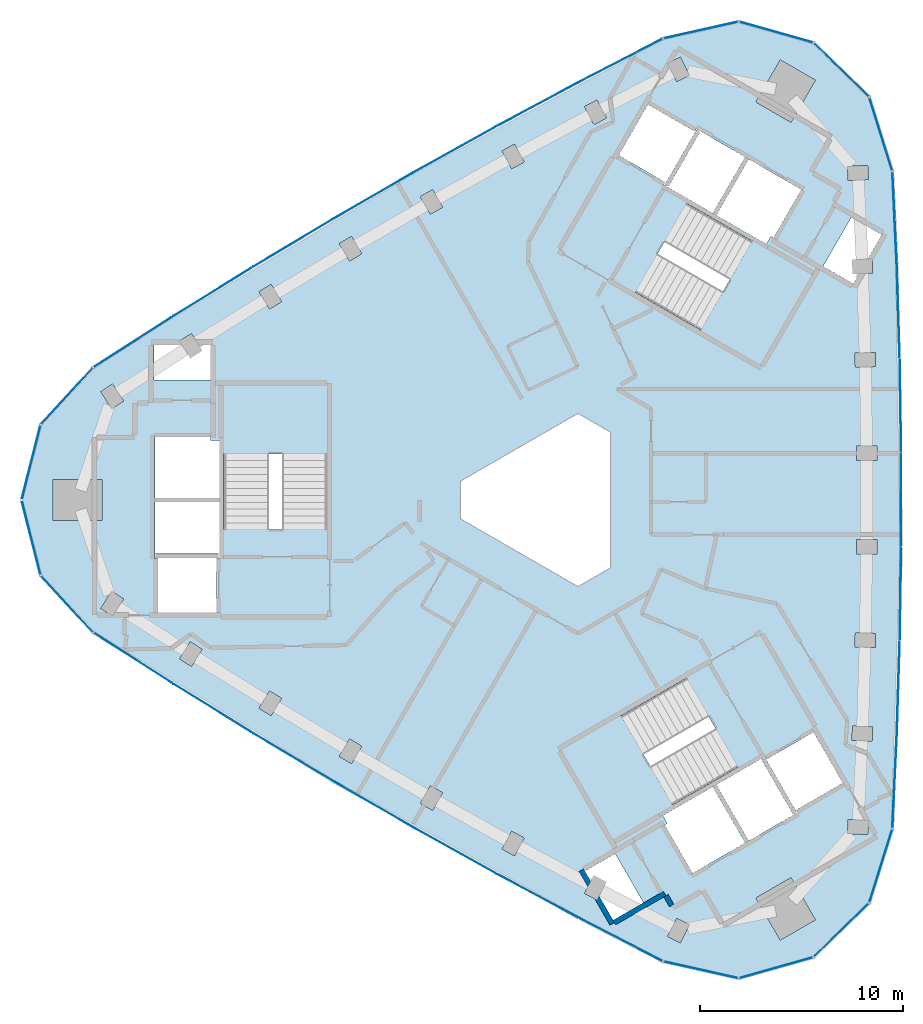
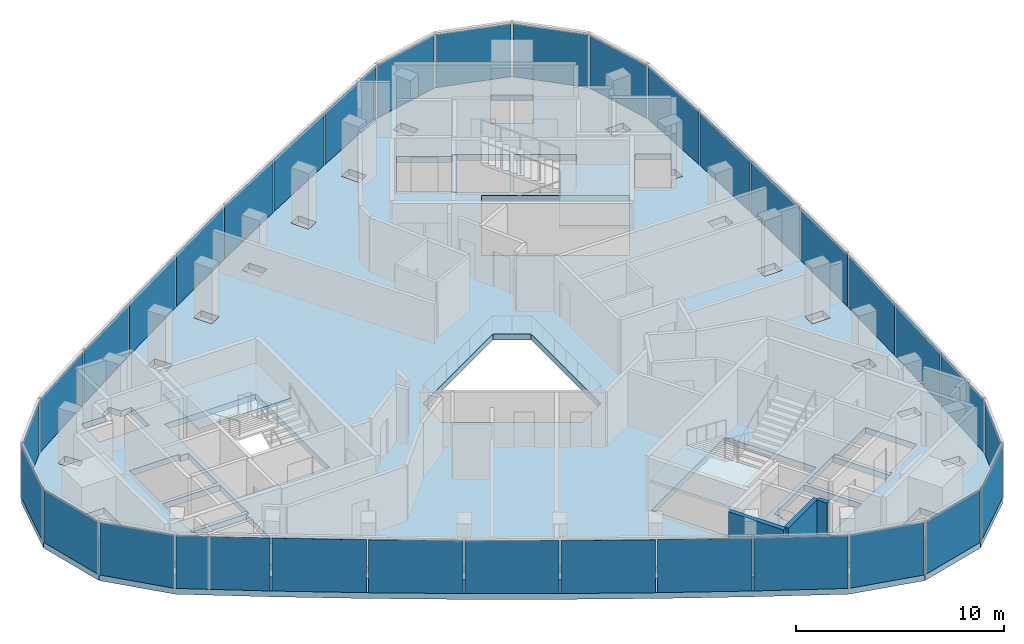
# One storey, part 5 of 10: 33 plates, 4 slabs, 3 walls, 6 elements without a shape of their own.
"""IFC4 building model written with IfcOpenShell, lengths in metres."""

from ifc_helpers import new_model, si_unit, direction, frame, frame_2d, origin, origin_2d, place, context, subcontext, project, spatial, polyline, rectangle, outline, extrude, material, layer, layer_set, type_object, element, aggregate, save


model = new_model("IFC4")

# Units and contexts
model_context = context("Model", 3, precision=1e-05, world=origin(), true_north=direction((0.0, 1.0)))
body_context = subcontext(model_context, "Body", "Model", "MODEL_VIEW")
ifc_project = project(units=[si_unit("LENGTHUNIT", "METRE"), si_unit("AREAUNIT", "SQUARE_METRE"), si_unit("VOLUMEUNIT", "CUBIC_METRE"), si_unit("PLANEANGLEUNIT", "RADIAN"), si_unit("MASSUNIT", "GRAM", prefix="KILO")], contexts=[model_context])

# Site, building, storey
site_placement = place(None, origin())
site = spatial("IfcSite", under=ifc_project, at=site_placement, CompositionType="ELEMENT")
building_placement = place(site_placement, origin())
building = spatial("IfcBuilding", under=site, at=building_placement, Name="Tamra Quay Hotel Tower", CompositionType="ELEMENT")
storey_placement = place(building_placement, frame((0.0, 0.0, 265.800048828125)))
storey = spatial("IfcBuildingStorey", under=building, at=storey_placement, Name="L67", CompositionType="ELEMENT", Elevation=265.800048828125)

# Stair, slab
ifc_material_1 = material(Name="Exit stair 2200 24 risers 150.0 going 342")
stair_type = type_object("IfcStairType", Name="Exit stair 2200 24 risers 150.0 going 342", PredefinedType="HALF_TURN_STAIR", material=ifc_material_1)
stair_1_placement = place(storey_placement, origin())
stair_1 = element("IfcStair", 1, at=stair_1_placement, inside=storey, type_object=stair_type, Name="L67 Exit stair ST3", PredefinedType="HALF_TURN_STAIR")
ifc_material_2 = material(Name="Concrete M70", Category="concrete")
ifc_layer_1 = layer(ifc_material_2, 0.175048828125)
ifc_layer_set_1 = layer_set([ifc_layer_1], Name="Concrete M70 stair landing 180")
slab_type_1 = type_object("IfcSlabType", Name="Concrete M70 stair landing 180", PredefinedType="LANDING", material=ifc_layer_set_1)
slab_1_placement = place(storey_placement, frame((0.0, 0.0, 1.625)))
slab_1 = element("IfcSlab", 2, at=slab_1_placement, type_object=slab_type_1, Name="ST3 landing 1", PredefinedType="LANDING", context=body_context, shape_type="SweptSolid", body=[
    extrude(outline(polyline([(-10.932373046875, 2.261962890625), (-10.932373046875, 5.679931640625), (-16.09130859375, 5.679931640625), (-16.09130859375, 2.261962890625), (-10.932373046875, 2.261962890625)])), origin(), (0.0, 0.0, 1.0), 0.175048828125),
])
aggregate(stair_1, [slab_1])

stair_2_placement = place(storey_placement, origin())
stair_2 = element("IfcStair", 3, at=stair_2_placement, inside=storey, type_object=stair_type, Name="L67 Exit stair ST1", PredefinedType="HALF_TURN_STAIR")
slab_2_placement = place(storey_placement, frame((0.0, 0.0, 1.625)))
slab_2 = element("IfcSlab", 4, at=slab_2_placement, type_object=slab_type_1, Name="ST1 landing 1", PredefinedType="LANDING", context=body_context, shape_type="SweptSolid", body=[
    extrude(outline(polyline([(7.425048828125, 8.336669921875), (10.385009765625, 6.627685546875), (12.964599609375, 11.095458984375), (10.00439453125, 12.804443359375), (7.425048828125, 8.336669921875)])), origin(), (0.0, 0.0, 1.0), 0.175048828125),
])
aggregate(stair_2, [slab_2])

stair_3_placement = place(storey_placement, origin())
stair_3 = element("IfcStair", 5, at=stair_3_placement, inside=storey, type_object=stair_type, Name="L67 Exit stair ST2", PredefinedType="HALF_TURN_STAIR")
slab_3_placement = place(storey_placement, frame((0.0, 0.0, 1.625)))
slab_3 = element("IfcSlab", 6, at=slab_3_placement, type_object=slab_type_1, Name="ST2 landing 1", PredefinedType="LANDING", context=body_context, shape_type="SweptSolid", body=[
    extrude(outline(polyline([(3.50732421875, -10.5986328125), (0.547119140625, -12.3076171875), (3.126708984375, -16.775390625), (6.086669921875, -15.06640625), (3.50732421875, -10.5986328125)])), origin(), (0.0, 0.0, 1.0), 0.175048828125),
])
aggregate(stair_3, [slab_3])

# Slab
ifc_material_3 = material(Name="Concrete M60", Category="concrete")
ifc_layer_2 = layer(ifc_material_3, 0.35009765625)
ifc_layer_set_2 = layer_set([ifc_layer_2], Name="FLOOR SLAB PT 350")
slab_type_2 = type_object("IfcSlabType", Name="FLOOR SLAB PT 350", PredefinedType="FLOOR", material=ifc_layer_set_2)
slab_4_placement = place(storey_placement, frame((0.0, 0.0, -0.35009765625)))
element("IfcSlab", 7, at=slab_4_placement, inside=storey, type_object=slab_type_2, Name="SLAB-L67", PredefinedType="FLOOR", context=body_context, shape_type="SweptSolid", body=[
    extrude(outline(polyline([(17.116943359375, 11.580810546875), (17.26171875, 6.9501953125), (17.333984375, 2.31689453125), (17.333984375, -2.31689453125), (17.26171875, -6.9501953125), (17.116943359375, -11.580810546875), (16.89990234375, -16.210205078125), (15.757080078125, -19.865966796875), (13.01171875, -22.536865234375), (9.325927734375, -23.5791015625), (5.58837890625, -22.740966796875), (1.470947265625, -20.614013671875), (-2.61181640625, -18.42431640625), (-6.660400390625, -16.170166015625), (-10.673583984375, -13.853271484375), (-14.64990234375, -11.473876953125), (-18.587890625, -9.033203125), (-22.488525390625, -6.530517578125), (-25.0830078125, -3.712890625), (-26.0234375, 0.0), (-25.0830078125, 3.712890625), (-22.488525390625, 6.530517578125), (-18.587890625, 9.033203125), (-14.64990234375, 11.473876953125), (-10.673583984375, 13.853271484375), (-6.660400390625, 16.170166015625), (-2.61181640625, 18.42431640625), (1.470947265625, 20.614013671875), (5.58837890625, 22.740966796875), (9.325927734375, 23.5791015625), (13.01171875, 22.536865234375), (15.757080078125, 19.865966796875), (16.89990234375, 16.210205078125), (17.116943359375, 11.580810546875)]), holes=[polyline([(-10.3671875, -12.641357421875), (-9.763671875, -12.99609375), (-9.2568359375, -12.13427734375), (-9.8603515625, -11.779296875), (-10.3671875, -12.641357421875)]), polyline([(-14.324462890625, -10.26708984375), (-13.7265625, -10.63134765625), (-13.206298828125, -9.77734375), (-13.803955078125, -9.4130859375), (-14.324462890625, -10.26708984375)]), polyline([(-18.244140625, -7.831298828125), (-17.652099609375, -8.20458984375), (-17.118896484375, -7.358642578125), (-17.7109375, -6.9853515625), (-18.244140625, -7.831298828125)]), polyline([(-21.57861328125, -4.497314453125), (-22.125244140625, -5.33447265625), (-21.539306640625, -5.71728515625), (-20.992431640625, -4.880126953125), (-21.57861328125, -4.497314453125)]), polyline([(-16.3173828125, -2.85498046875), (-19.4072265625, -2.85498046875), (-19.4072265625, -2.89306640625), (-19.307373046875, -2.89306640625), (-19.307373046875, -5.544921875), (-16.417236328125, -5.544921875), (-16.417236328125, -2.89306640625), (-16.3173828125, -2.89306640625), (-16.3173828125, -2.85498046875)]), polyline([(-19.417236328125, -2.64501953125), (-16.307373046875, -2.64501953125), (-16.307373046875, -2.89306640625), (-16.26708984375, -2.89306640625), (-16.26708984375, -0.10498046875), (-19.45751953125, -0.10498046875), (-19.45751953125, -2.89306640625), (-19.417236328125, -2.89306640625), (-19.417236328125, -2.64501953125)]), polyline([(-24.473388671875, 1.0), (-24.473388671875, -1.0), (-22.073486328125, -1.0), (-22.073486328125, 1.0), (-24.473388671875, 1.0)]), polyline([(-16.707275390625, 2.945068359375), (-16.707275390625, 3.09521484375), (-19.45751953125, 3.09521484375), (-19.45751953125, 0.10498046875), (-16.26708984375, 0.10498046875), (-16.26708984375, 2.945068359375), (-16.707275390625, 2.945068359375)]), polyline([(-16.036376953125, -1.455078125), (-10.9873046875, -1.455078125), (-10.9873046875, 5.625), (-16.036376953125, 5.625), (-16.036376953125, -1.455078125)]), polyline([(-20.992431640625, 4.880126953125), (-21.539306640625, 5.71728515625), (-22.125244140625, 5.33447265625), (-21.57861328125, 4.497314453125), (-20.992431640625, 4.880126953125)]), polyline([(-17.29931640625, 7.64501953125), (-17.652099609375, 8.20458984375), (-18.244140625, 7.831298828125), (-18.126708984375, 7.64501953125), (-19.50732421875, 7.64501953125), (-19.50732421875, 5.9150390625), (-16.71728515625, 5.9150390625), (-16.71728515625, 7.64501953125), (-17.29931640625, 7.64501953125)]), polyline([(-13.7265625, 10.63134765625), (-14.324462890625, 10.26708984375), (-13.803955078125, 9.4130859375), (-13.206298828125, 9.77734375), (-13.7265625, 10.63134765625)]), polyline([(-9.2568359375, 12.13427734375), (-9.763671875, 12.99609375), (-10.3671875, 12.641357421875), (-9.8603515625, 11.779296875), (-9.2568359375, 12.13427734375)]), polyline([(-5.271240234375, 14.428955078125), (-5.764404296875, 15.298828125), (-6.373291015625, 14.95361328125), (-5.880126953125, 14.083740234375), (-5.271240234375, 14.428955078125)]), polyline([(5.818359375, -21.51220703125), (6.44287109375, -21.828369140625), (6.89453125, -20.936279296875), (6.27001953125, -20.6201171875), (5.818359375, -21.51220703125)]), polyline([(3.236083984375, -17.43505859375), (1.73779296875, -18.300048828125), (2.02880859375, -18.80419921875), (1.720703125, -19.389404296875), (2.33984375, -19.715576171875), (2.442626953125, -19.520751953125), (3.1328125, -20.71630859375), (4.631103515625, -19.851318359375), (3.236083984375, -17.43505859375)]), polyline([(-2.34375, -17.203369140625), (-1.7294921875, -17.538818359375), (-1.25, -16.6611328125), (-1.864501953125, -16.32568359375), (-2.34375, -17.203369140625)]), polyline([(5.5830078125, -15.560302734375), (5.80322265625, -15.94140625), (5.673095703125, -16.0166015625), (7.04833984375, -18.398193359375), (9.6376953125, -16.903076171875), (8.042724609375, -14.14013671875), (5.5830078125, -15.560302734375)]), polyline([(12.214111328125, -15.369384765625), (11.999267578125, -15.493408203125), (10.4443359375, -12.800048828125), (10.6591796875, -12.676025390625), (10.63916015625, -12.64111328125), (8.224609375, -14.03515625), (9.819580078125, -16.798095703125), (12.234130859375, -15.404052734375), (12.214111328125, -15.369384765625)]), polyline([(-6.373291015625, -14.95361328125), (-5.764404296875, -15.298828125), (-5.271240234375, -14.428955078125), (-5.880126953125, -14.083740234375), (-6.373291015625, -14.95361328125)]), polyline([(6.75390625, -8.78759765625), (0.622314453125, -12.32763671875), (3.146728515625, -16.7001953125), (9.2783203125, -13.160400390625), (6.75390625, -8.78759765625)]), polyline([(-4.39990234375, 0.923828125), (-4.39990234375, -0.923828125), (1.39990234375, -4.2724609375), (3.0, -3.3486328125), (3.0, 3.3486328125), (1.39990234375, 4.2724609375), (-4.39990234375, 0.923828125)]), polyline([(6.758056640625, 14.615478515625), (4.2333984375, 10.242919921875), (10.364990234375, 6.702880859375), (12.889404296875, 11.075439453125), (6.758056640625, 14.615478515625)]), polyline([(7.203125, 18.262451171875), (7.41796875, 18.138427734375), (5.863037109375, 15.445068359375), (5.648193359375, 15.569091796875), (5.628173828125, 15.5341796875), (8.04248046875, 14.140380859375), (9.6376953125, 16.903076171875), (7.22314453125, 18.297119140625), (7.203125, 18.262451171875)]), polyline([(-1.7294921875, 17.538818359375), (-2.34375, 17.203369140625), (-1.864501953125, 16.32568359375), (-1.25, 16.6611328125), (-1.7294921875, 17.538818359375)]), polyline([(5.68603515625, 15.55859375), (7.231201171875, 18.234619140625), (7.1982421875, 18.253662109375), (7.148193359375, 18.1669921875), (4.8515625, 19.4931640625), (3.406494140625, 16.990234375), (5.703125, 15.664306640625), (5.6533203125, 15.57763671875), (5.68603515625, 15.55859375)]), polyline([(2.805908203125, 18.830810546875), (2.33984375, 19.715576171875), (1.720703125, 19.389404296875), (2.186767578125, 18.504638671875), (2.805908203125, 18.830810546875)]), polyline([(6.44287109375, 21.828369140625), (5.818359375, 21.51220703125), (6.27001953125, 20.6201171875), (6.89453125, 20.936279296875), (6.44287109375, 21.828369140625)]), polyline([(10.170654296875, -19.6162109375), (11.37060546875, -21.694580078125), (13.102783203125, -20.694580078125), (11.902587890625, -18.6162109375), (10.170654296875, -19.6162109375)]), polyline([(14.68408203125, -16.43896484375), (15.6826171875, -16.493896484375), (15.720947265625, -15.794921875), (14.722412109375, -15.739990234375), (14.68408203125, -16.43896484375)]), polyline([(12.176025390625, -15.379638671875), (12.208984375, -15.360595703125), (12.1591796875, -15.274169921875), (14.455810546875, -13.947998046875), (13.0107421875, -11.4453125), (10.714111328125, -12.771240234375), (10.6640625, -12.6845703125), (10.631103515625, -12.70361328125), (12.176025390625, -15.379638671875)]), polyline([(15.904296875, -11.88427734375), (15.931396484375, -11.184814453125), (14.93212890625, -11.14599609375), (14.905029296875, -11.845703125), (15.904296875, -11.88427734375)]), polyline([(16.0537109375, -7.271728515625), (16.0703125, -6.572021484375), (15.070556640625, -6.548095703125), (15.053955078125, -7.247802734375), (16.0537109375, -7.271728515625)]), polyline([(15.13134765625, -2.6494140625), (16.13134765625, -2.657470703125), (16.136962890625, -1.95751953125), (15.136962890625, -1.94970703125), (15.13134765625, -2.6494140625)]), polyline([(15.136962890625, 1.94970703125), (16.136962890625, 1.95751953125), (16.13134765625, 2.657470703125), (15.13134765625, 2.6494140625), (15.136962890625, 1.94970703125)]), polyline([(16.0703125, 6.572021484375), (16.0537109375, 7.271728515625), (15.053955078125, 7.247802734375), (15.070556640625, 6.548095703125), (16.0703125, 6.572021484375)]), polyline([(13.481201171875, 11.52001953125), (14.9794921875, 10.655029296875), (15.2705078125, 11.1591796875), (15.931396484375, 11.184814453125), (15.904296875, 11.88427734375), (15.68408203125, 11.875732421875), (16.37451171875, 13.0712890625), (14.876220703125, 13.936279296875), (13.481201171875, 11.52001953125)]), polyline([(10.904052734375, 12.996337890625), (11.0341796875, 12.92138671875), (12.4091796875, 15.302978515625), (9.819580078125, 16.798095703125), (8.224365234375, 14.035400390625), (10.68408203125, 12.615234375), (10.904052734375, 12.996337890625)]), polyline([(14.722412109375, 15.739990234375), (15.720947265625, 15.794921875), (15.6826171875, 16.493896484375), (14.68408203125, 16.43896484375), (14.722412109375, 15.739990234375)]), polyline([(11.902587890625, 18.6162109375), (13.102783203125, 20.694580078125), (11.37060546875, 21.694580078125), (10.170654296875, 19.6162109375), (11.902587890625, 18.6162109375)])]), origin(), (0.0, 0.0, 1.0), 0.35009765625),
])

# Curtain wall, plates
ifc_material_4 = material(Name="Aluminium 6063 anodised dark grey", Category="aluminium")
curtain_wall_type_1 = type_object("IfcCurtainWallType", Name="CW1 CURTAIN WALL", PredefinedType="NOTDEFINED", material=ifc_material_4)
curtain_wall_1_placement = place(storey_placement, origin())
curtain_wall_1 = element("IfcCurtainWall", 8, at=curtain_wall_1_placement, inside=storey, type_object=curtain_wall_type_1, Name="CW1 east face L67", PredefinedType="NOTDEFINED")
ifc_material_5 = material(Name="Glass clear laminated low-iron", Category="glass")
ifc_layer_3 = layer(ifc_material_5, 0.02587890625)
ifc_layer_set_3 = layer_set([ifc_layer_3], Name="GLASS PANEL CW1 Z6")
plate_type_1 = type_object("IfcPlateType", Name="GLASS PANEL CW1 Z6", PredefinedType="CURTAIN_PANEL", material=ifc_layer_set_3)
plate_1_placement = place(storey_placement, frame((17.00830078125, -13.8955078125, 0.0), z_axis=(0.0, 0.0, 1.0), x_axis=(0.04682126455, 0.998903283199, 0.0)))
plate_1 = element("IfcPlate", 9, at=plate_1_placement, type_object=plate_type_1, Name="CW1 glass L67.E.1", PredefinedType="CURTAIN_PANEL", context=body_context, shape_type="SweptSolid", body=[
    extrude(rectangle(XDim=4.534423828125, YDim=0.02587890625, at=origin_2d()), origin(), (0.0, 0.0, 1.0), 3.110107421875),
])
plate_2_placement = place(storey_placement, frame((17.189208984375, -9.265625, 0.0), z_axis=(0.0, 0.0, 1.0), x_axis=(0.031241804319, 0.999511855689, 0.0)))
plate_2 = element("IfcPlate", 10, at=plate_2_placement, type_object=plate_type_1, Name="CW1 glass L67.E.2", PredefinedType="CURTAIN_PANEL", context=body_context, shape_type="SweptSolid", body=[
    extrude(rectangle(XDim=4.532958984375, YDim=0.02587890625, at=origin_2d()), origin(), (0.0, 0.0, 1.0), 3.110107421875),
])
plate_3_placement = place(storey_placement, frame((17.2978515625, -4.633544921875, 0.0), z_axis=(0.0, 0.0, 1.0), x_axis=(0.01563239478, 0.999877806651, 0.0)))
plate_3 = element("IfcPlate", 11, at=plate_3_placement, type_object=plate_type_1, Name="CW1 glass L67.E.3", PredefinedType="CURTAIN_PANEL", context=body_context, shape_type="SweptSolid", body=[
    extrude(rectangle(XDim=4.533935546875, YDim=0.02587890625, at=origin_2d()), origin(), (0.0, 0.0, 1.0), 3.110107421875),
])
plate_4_placement = place(storey_placement, frame((17.333984375, 0.0, 0.0), z_axis=(0.0, 0.0, 1.0), x_axis=(0.0, 1.0, 0.0)))
plate_4 = element("IfcPlate", 12, at=plate_4_placement, type_object=plate_type_1, Name="CW1 glass L67.E.4", PredefinedType="CURTAIN_PANEL", context=body_context, shape_type="SweptSolid", body=[
    extrude(rectangle(XDim=4.533935546875, YDim=0.02587890625, at=origin_2d()), origin(), (0.0, 0.0, 1.0), 3.110107421875),
])
plate_5_placement = place(storey_placement, frame((17.2978515625, 4.633544921875, 0.0), z_axis=(0.0, 0.0, 1.0), x_axis=(-0.01563239478, 0.999877806651, 0.0)))
plate_5 = element("IfcPlate", 13, at=plate_5_placement, type_object=plate_type_1, Name="CW1 glass L67.E.5", PredefinedType="CURTAIN_PANEL", context=body_context, shape_type="SweptSolid", body=[
    extrude(rectangle(XDim=4.533935546875, YDim=0.02587890625, at=origin_2d()), origin(), (0.0, 0.0, 1.0), 3.110107421875),
])
plate_6_placement = place(storey_placement, frame((17.189208984375, 9.265625, 0.0), z_axis=(0.0, 0.0, 1.0), x_axis=(-0.031241804319, 0.999511855689, 0.0)))
plate_6 = element("IfcPlate", 14, at=plate_6_placement, type_object=plate_type_1, Name="CW1 glass L67.E.6", PredefinedType="CURTAIN_PANEL", context=body_context, shape_type="SweptSolid", body=[
    extrude(rectangle(XDim=4.532958984375, YDim=0.02587890625, at=origin_2d()), origin(), (0.0, 0.0, 1.0), 3.110107421875),
])
plate_7_placement = place(storey_placement, frame((17.00830078125, 13.8955078125, 0.0), z_axis=(0.0, 0.0, 1.0), x_axis=(-0.04682126455, 0.998903283199, 0.0)))
plate_7 = element("IfcPlate", 15, at=plate_7_placement, type_object=plate_type_1, Name="CW1 glass L67.E.7", PredefinedType="CURTAIN_PANEL", context=body_context, shape_type="SweptSolid", body=[
    extrude(rectangle(XDim=4.534423828125, YDim=0.02587890625, at=origin_2d()), origin(), (0.0, 0.0, 1.0), 3.110107421875),
])
plate_8_placement = place(storey_placement, frame((16.328369140625, 18.0380859375, 0.0), z_axis=(0.0, 0.0, 1.0), x_axis=(-0.29839239288, 0.954443282689, 0.0)))
plate_8 = element("IfcPlate", 16, at=plate_8_placement, type_object=plate_type_1, Name="CW1 glass L67.E.8", PredefinedType="CURTAIN_PANEL", context=body_context, shape_type="SweptSolid", body=[
    extrude(rectangle(XDim=3.730224609375, YDim=0.02587890625, at=origin_2d()), origin(), (0.0, 0.0, 1.0), 3.110107421875),
])
plate_9_placement = place(storey_placement, frame((14.38427734375, 21.201416015625, 0.0), z_axis=(0.0, 0.0, 1.0), x_axis=(-0.716752699854, 0.69732744622, 0.0)))
plate_9 = element("IfcPlate", 17, at=plate_9_placement, type_object=plate_type_1, Name="CW1 glass L67.E.9", PredefinedType="CURTAIN_PANEL", context=body_context, shape_type="SweptSolid", body=[
    extrude(rectangle(XDim=3.730224609375, YDim=0.02587890625, at=origin_2d()), origin(), (0.0, 0.0, 1.0), 3.110107421875),
])
plate_10_placement = place(storey_placement, frame((11.168701171875, 23.057861328125, 0.0), z_axis=(0.0, 0.0, 1.0), x_axis=(-0.96227963311, 0.272062323195, 0.0)))
plate_10 = element("IfcPlate", 18, at=plate_10_placement, type_object=plate_type_1, Name="CW1 glass L67.E.10", PredefinedType="CURTAIN_PANEL", context=body_context, shape_type="SweptSolid", body=[
    extrude(rectangle(XDim=3.730224609375, YDim=0.02587890625, at=origin_2d()), origin(), (0.0, 0.0, 1.0), 3.110107421875),
])
plate_11_placement = place(storey_placement, frame((7.457275390625, 23.159912109375, 0.0), z_axis=(0.0, 0.0, 1.0), x_axis=(-0.975768325721, -0.218806248814, 0.0)))
plate_11 = element("IfcPlate", 19, at=plate_11_placement, type_object=plate_type_1, Name="CW1 glass L67.E.11", PredefinedType="CURTAIN_PANEL", context=body_context, shape_type="SweptSolid", body=[
    extrude(rectangle(XDim=3.730224609375, YDim=0.02587890625, at=origin_2d()), origin(), (0.0, 0.0, 1.0), 3.110107421875),
])
aggregate(curtain_wall_1, [plate_1, plate_2, plate_3, plate_4, plate_5, plate_6, plate_7, plate_8, plate_9, plate_10, plate_11])

curtain_wall_type_2 = type_object("IfcCurtainWallType", Name="CW2 CURTAIN WALL", PredefinedType="NOTDEFINED", material=ifc_material_4)
curtain_wall_2_placement = place(storey_placement, origin())
curtain_wall_2 = element("IfcCurtainWall", 20, at=curtain_wall_2_placement, inside=storey, type_object=curtain_wall_type_2, Name="CW2 north-west face L67", PredefinedType="NOTDEFINED")
ifc_layer_4 = layer(ifc_material_5, 0.02587890625)
ifc_layer_set_4 = layer_set([ifc_layer_4], Name="GLASS PANEL CW2 Z6")
plate_type_2 = type_object("IfcPlateType", Name="GLASS PANEL CW2 Z6", PredefinedType="CURTAIN_PANEL", material=ifc_layer_set_4)
plate_12_placement = place(storey_placement, frame((3.52978515625, 21.677490234375, 0.0), z_axis=(0.0, 0.0, 1.0), x_axis=(-0.888486251449, -0.458903237062, 0.0)))
plate_12 = element("IfcPlate", 21, at=plate_12_placement, type_object=plate_type_2, Name="CW2 glass L67.NW.1", PredefinedType="CURTAIN_PANEL", context=body_context, shape_type="SweptSolid", body=[
    extrude(rectangle(XDim=4.534423828125, YDim=0.02587890625, at=origin_2d()), origin(), (0.0, 0.0, 1.0), 3.110107421875),
])
plate_13_placement = place(storey_placement, frame((-0.5703125, 19.51904296875, 0.0), z_axis=(0.0, 0.0, 1.0), x_axis=(-0.88122356057, -0.472699731644, 0.0)))
plate_13 = element("IfcPlate", 22, at=plate_13_placement, type_object=plate_type_2, Name="CW2 glass L67.NW.2", PredefinedType="CURTAIN_PANEL", context=body_context, shape_type="SweptSolid", body=[
    extrude(rectangle(XDim=4.532958984375, YDim=0.02587890625, at=origin_2d()), origin(), (0.0, 0.0, 1.0), 3.110107421875),
])
plate_14_placement = place(storey_placement, frame((-4.635986328125, 17.297119140625, 0.0), z_axis=(0.0, 0.0, 1.0), x_axis=(-0.87373577863, -0.486400852324, 0.0)))
plate_14 = element("IfcPlate", 23, at=plate_14_placement, type_object=plate_type_2, Name="CW2 glass L67.NW.3", PredefinedType="CURTAIN_PANEL", context=body_context, shape_type="SweptSolid", body=[
    extrude(rectangle(XDim=4.533935546875, YDim=0.02587890625, at=origin_2d()), origin(), (0.0, 0.0, 1.0), 3.110107421875),
])
plate_15_placement = place(storey_placement, frame((-8.6669921875, 15.01171875, 0.0), z_axis=(0.0, 0.0, 1.0), x_axis=(-0.866025403784, -0.5, 0.0)))
plate_15 = element("IfcPlate", 24, at=plate_15_placement, type_object=plate_type_2, Name="CW2 glass L67.NW.4", PredefinedType="CURTAIN_PANEL", context=body_context, shape_type="SweptSolid", body=[
    extrude(rectangle(XDim=4.533935546875, YDim=0.02587890625, at=origin_2d()), origin(), (0.0, 0.0, 1.0), 3.110107421875),
])
plate_16_placement = place(storey_placement, frame((-12.661865234375, 12.66357421875, 0.0), z_axis=(0.0, 0.0, 1.0), x_axis=(-0.85810338385, -0.513476954327, 0.0)))
plate_16 = element("IfcPlate", 25, at=plate_16_placement, type_object=plate_type_2, Name="CW2 glass L67.NW.5", PredefinedType="CURTAIN_PANEL", context=body_context, shape_type="SweptSolid", body=[
    extrude(rectangle(XDim=4.533935546875, YDim=0.02587890625, at=origin_2d()), origin(), (0.0, 0.0, 1.0), 3.110107421875),
])
plate_17_placement = place(storey_placement, frame((-16.618896484375, 10.25341796875, 0.0), z_axis=(0.0, 0.0, 1.0), x_axis=(-0.849981756251, -0.526812124045, 0.0)))
plate_17 = element("IfcPlate", 26, at=plate_17_placement, type_object=plate_type_2, Name="CW2 glass L67.NW.6", PredefinedType="CURTAIN_PANEL", context=body_context, shape_type="SweptSolid", body=[
    extrude(rectangle(XDim=4.532958984375, YDim=0.02587890625, at=origin_2d()), origin(), (0.0, 0.0, 1.0), 3.110107421875),
])
plate_18_placement = place(storey_placement, frame((-20.5380859375, 7.781982421875, 0.0), z_axis=(0.0, 0.0, 1.0), x_axis=(-0.841664986899, -0.540000046137, 0.0)))
plate_18 = element("IfcPlate", 27, at=plate_18_placement, type_object=plate_type_2, Name="CW2 glass L67.NW.7", PredefinedType="CURTAIN_PANEL", context=body_context, shape_type="SweptSolid", body=[
    extrude(rectangle(XDim=4.534423828125, YDim=0.02587890625, at=origin_2d()), origin(), (0.0, 0.0, 1.0), 3.110107421875),
])
plate_19_placement = place(storey_placement, frame((-23.78564453125, 5.121826171875, 0.0), z_axis=(0.0, 0.0, 1.0), x_axis=(-0.67737593284, -0.735637033875, 0.0)))
plate_19 = element("IfcPlate", 28, at=plate_19_placement, type_object=plate_type_2, Name="CW2 glass L67.NW.8", PredefinedType="CURTAIN_PANEL", context=body_context, shape_type="SweptSolid", body=[
    extrude(rectangle(XDim=3.730224609375, YDim=0.02587890625, at=origin_2d()), origin(), (0.0, 0.0, 1.0), 3.110107421875),
])
plate_20_placement = place(storey_placement, frame((-25.55322265625, 1.8564453125, 0.0), z_axis=(0.0, 0.0, 1.0), x_axis=(-0.245526933255, -0.969389769415, 0.0)))
plate_20 = element("IfcPlate", 29, at=plate_20_placement, type_object=plate_type_2, Name="CW2 glass L67.NW.9", PredefinedType="CURTAIN_PANEL", context=body_context, shape_type="SweptSolid", body=[
    extrude(rectangle(XDim=3.730224609375, YDim=0.02587890625, at=origin_2d()), origin(), (0.0, 0.0, 1.0), 3.110107421875),
])
plate_21_placement = place(storey_placement, frame((-25.55322265625, -1.8564453125, 0.0), z_axis=(0.0, 0.0, 1.0), x_axis=(0.245526933255, -0.969389769415, 0.0)))
plate_21 = element("IfcPlate", 30, at=plate_21_placement, type_object=plate_type_2, Name="CW2 glass L67.NW.10", PredefinedType="CURTAIN_PANEL", context=body_context, shape_type="SweptSolid", body=[
    extrude(rectangle(XDim=3.730224609375, YDim=0.02587890625, at=origin_2d()), origin(), (0.0, 0.0, 1.0), 3.110107421875),
])
plate_22_placement = place(storey_placement, frame((-23.78564453125, -5.121826171875, 0.0), z_axis=(0.0, 0.0, 1.0), x_axis=(0.67737593284, -0.735637033875, 0.0)))
plate_22 = element("IfcPlate", 31, at=plate_22_placement, type_object=plate_type_2, Name="CW2 glass L67.NW.11", PredefinedType="CURTAIN_PANEL", context=body_context, shape_type="SweptSolid", body=[
    extrude(rectangle(XDim=3.730224609375, YDim=0.02587890625, at=origin_2d()), origin(), (0.0, 0.0, 1.0), 3.110107421875),
])
aggregate(curtain_wall_2, [plate_12, plate_13, plate_14, plate_15, plate_16, plate_17, plate_18, plate_19, plate_20, plate_21, plate_22])

curtain_wall_type_3 = type_object("IfcCurtainWallType", Name="CW3 CURTAIN WALL", PredefinedType="NOTDEFINED", material=ifc_material_4)
curtain_wall_3_placement = place(storey_placement, origin())
curtain_wall_3 = element("IfcCurtainWall", 32, at=curtain_wall_3_placement, inside=storey, type_object=curtain_wall_type_3, Name="CW3 south-west face L67", PredefinedType="NOTDEFINED")
ifc_layer_5 = layer(ifc_material_5, 0.02587890625)
ifc_layer_set_5 = layer_set([ifc_layer_5], Name="GLASS PANEL CW3 Z6")
plate_type_3 = type_object("IfcPlateType", Name="GLASS PANEL CW3 Z6", PredefinedType="CURTAIN_PANEL", material=ifc_layer_set_5)
plate_23_placement = place(storey_placement, frame((-20.5380859375, -7.781982421875, 0.0), z_axis=(0.0, 0.0, 1.0), x_axis=(0.841664986899, -0.540000046137, 0.0)))
plate_23 = element("IfcPlate", 33, at=plate_23_placement, type_object=plate_type_3, Name="CW3 glass L67.SW.1", PredefinedType="CURTAIN_PANEL", context=body_context, shape_type="SweptSolid", body=[
    extrude(rectangle(XDim=4.534423828125, YDim=0.02587890625, at=origin_2d()), origin(), (0.0, 0.0, 1.0), 3.110107421875),
])
plate_24_placement = place(storey_placement, frame((-16.618896484375, -10.25341796875, 0.0), z_axis=(0.0, 0.0, 1.0), x_axis=(0.849981756251, -0.526812124045, 0.0)))
plate_24 = element("IfcPlate", 34, at=plate_24_placement, type_object=plate_type_3, Name="CW3 glass L67.SW.2", PredefinedType="CURTAIN_PANEL", context=body_context, shape_type="SweptSolid", body=[
    extrude(rectangle(XDim=4.532958984375, YDim=0.02587890625, at=origin_2d()), origin(), (0.0, 0.0, 1.0), 3.110107421875),
])
plate_25_placement = place(storey_placement, frame((-12.661865234375, -12.66357421875, 0.0), z_axis=(0.0, 0.0, 1.0), x_axis=(0.85810338385, -0.513476954327, 0.0)))
plate_25 = element("IfcPlate", 35, at=plate_25_placement, type_object=plate_type_3, Name="CW3 glass L67.SW.3", PredefinedType="CURTAIN_PANEL", context=body_context, shape_type="SweptSolid", body=[
    extrude(rectangle(XDim=4.533935546875, YDim=0.02587890625, at=origin_2d()), origin(), (0.0, 0.0, 1.0), 3.110107421875),
])
plate_26_placement = place(storey_placement, frame((-8.6669921875, -15.01171875, 0.0), z_axis=(0.0, 0.0, 1.0), x_axis=(0.866025403784, -0.5, 0.0)))
plate_26 = element("IfcPlate", 36, at=plate_26_placement, type_object=plate_type_3, Name="CW3 glass L67.SW.4", PredefinedType="CURTAIN_PANEL", context=body_context, shape_type="SweptSolid", body=[
    extrude(rectangle(XDim=4.533935546875, YDim=0.02587890625, at=origin_2d()), origin(), (0.0, 0.0, 1.0), 3.110107421875),
])
plate_27_placement = place(storey_placement, frame((-4.635986328125, -17.297119140625, 0.0), z_axis=(0.0, 0.0, 1.0), x_axis=(0.87373577863, -0.486400852324, 0.0)))
plate_27 = element("IfcPlate", 37, at=plate_27_placement, type_object=plate_type_3, Name="CW3 glass L67.SW.5", PredefinedType="CURTAIN_PANEL", context=body_context, shape_type="SweptSolid", body=[
    extrude(rectangle(XDim=4.533935546875, YDim=0.02587890625, at=origin_2d()), origin(), (0.0, 0.0, 1.0), 3.110107421875),
])
plate_28_placement = place(storey_placement, frame((-0.5703125, -19.51904296875, 0.0), z_axis=(0.0, 0.0, 1.0), x_axis=(0.88122356057, -0.472699731644, 0.0)))
plate_28 = element("IfcPlate", 38, at=plate_28_placement, type_object=plate_type_3, Name="CW3 glass L67.SW.6", PredefinedType="CURTAIN_PANEL", context=body_context, shape_type="SweptSolid", body=[
    extrude(rectangle(XDim=4.532958984375, YDim=0.02587890625, at=origin_2d()), origin(), (0.0, 0.0, 1.0), 3.110107421875),
])
plate_29_placement = place(storey_placement, frame((3.52978515625, -21.677490234375, 0.0), z_axis=(0.0, 0.0, 1.0), x_axis=(0.888486251449, -0.458903237062, 0.0)))
plate_29 = element("IfcPlate", 39, at=plate_29_placement, type_object=plate_type_3, Name="CW3 glass L67.SW.7", PredefinedType="CURTAIN_PANEL", context=body_context, shape_type="SweptSolid", body=[
    extrude(rectangle(XDim=4.534423828125, YDim=0.02587890625, at=origin_2d()), origin(), (0.0, 0.0, 1.0), 3.110107421875),
])
plate_30_placement = place(storey_placement, frame((7.457275390625, -23.159912109375, 0.0), z_axis=(0.0, 0.0, 1.0), x_axis=(0.975768325721, -0.218806248814, 0.0)))
plate_30 = element("IfcPlate", 40, at=plate_30_placement, type_object=plate_type_3, Name="CW3 glass L67.SW.8", PredefinedType="CURTAIN_PANEL", context=body_context, shape_type="SweptSolid", body=[
    extrude(rectangle(XDim=3.730224609375, YDim=0.02587890625, at=origin_2d()), origin(), (0.0, 0.0, 1.0), 3.110107421875),
])
plate_31_placement = place(storey_placement, frame((11.168701171875, -23.057861328125, 0.0), z_axis=(0.0, 0.0, 1.0), x_axis=(0.96227963311, 0.272062323195, 0.0)))
plate_31 = element("IfcPlate", 41, at=plate_31_placement, type_object=plate_type_3, Name="CW3 glass L67.SW.9", PredefinedType="CURTAIN_PANEL", context=body_context, shape_type="SweptSolid", body=[
    extrude(rectangle(XDim=3.730224609375, YDim=0.02587890625, at=origin_2d()), origin(), (0.0, 0.0, 1.0), 3.110107421875),
])
plate_32_placement = place(storey_placement, frame((14.38427734375, -21.201416015625, 0.0), z_axis=(0.0, 0.0, 1.0), x_axis=(0.716752699854, 0.69732744622, 0.0)))
plate_32 = element("IfcPlate", 42, at=plate_32_placement, type_object=plate_type_3, Name="CW3 glass L67.SW.10", PredefinedType="CURTAIN_PANEL", context=body_context, shape_type="SweptSolid", body=[
    extrude(rectangle(XDim=3.730224609375, YDim=0.02587890625, at=origin_2d()), origin(), (0.0, 0.0, 1.0), 3.110107421875),
])
plate_33_placement = place(storey_placement, frame((16.328369140625, -18.0380859375, 0.0), z_axis=(0.0, 0.0, 1.0), x_axis=(0.29839239288, 0.954443282689, 0.0)))
plate_33 = element("IfcPlate", 43, at=plate_33_placement, type_object=plate_type_3, Name="CW3 glass L67.SW.11", PredefinedType="CURTAIN_PANEL", context=body_context, shape_type="SweptSolid", body=[
    extrude(rectangle(XDim=3.730224609375, YDim=0.02587890625, at=origin_2d()), origin(), (0.0, 0.0, 1.0), 3.110107421875),
])
aggregate(curtain_wall_3, [plate_23, plate_24, plate_25, plate_26, plate_27, plate_28, plate_29, plate_30, plate_31, plate_32, plate_33])

# Walls
ifc_layer_6 = layer(ifc_material_2, 0.25)
ifc_layer_set_6 = layer_set([ifc_layer_6], Name="Concrete M70 core wall 250")
wall_type = type_object("IfcWallType", Name="Concrete M70 core wall 250", PredefinedType="SHEAR", material=ifc_layer_set_6)
wall_1_placement = place(storey_placement, frame((3.085205078125, -20.893798828125, 0.0), z_axis=(0.0, 0.0, 1.0), x_axis=(-0.499978833458, 0.866037623948, 0.0)))
element("IfcWall", 44, at=wall_1_placement, inside=storey, type_object=wall_type, Name="CW1", PredefinedType="SHEAR", context=body_context, shape_type="SweptSolid", body=[
    extrude(rectangle(XDim=3.050048828125, YDim=0.25, at=frame_2d((1.52490234375, 0.0))), origin(), (0.0, 0.0, 1.0), 3.25),
])
wall_2_placement = place(storey_placement, frame((5.6748046875, -19.39892578125, 0.0), z_axis=(0.0, 0.0, 1.0), x_axis=(-0.866026637627, -0.499997862916, 0.0)))
element("IfcWall", 45, at=wall_2_placement, inside=storey, type_object=wall_type, Name="CW1", PredefinedType="SHEAR", context=body_context, shape_type="SweptSolid", body=[
    extrude(rectangle(XDim=2.86474609375, YDim=0.25, at=frame_2d((1.432373046875, 0.0))), origin(), (0.0, 0.0, 1.0), 3.25),
])
wall_3_placement = place(storey_placement, frame((6.01708984375, -19.99169921875, 0.0), z_axis=(0.0, 0.0, 1.0), x_axis=(-0.500364886717, 0.865814633822, 0.0)))
element("IfcWall", 46, at=wall_3_placement, inside=storey, type_object=wall_type, Name="CW1", PredefinedType="SHEAR", context=body_context, shape_type="SweptSolid", body=[
    extrude(rectangle(XDim=0.55908203125, YDim=0.25, at=frame_2d((0.279541015625, 0.0))), origin(), (0.0, 0.0, 1.0), 3.25),
])

save(model, "model.ifc")
